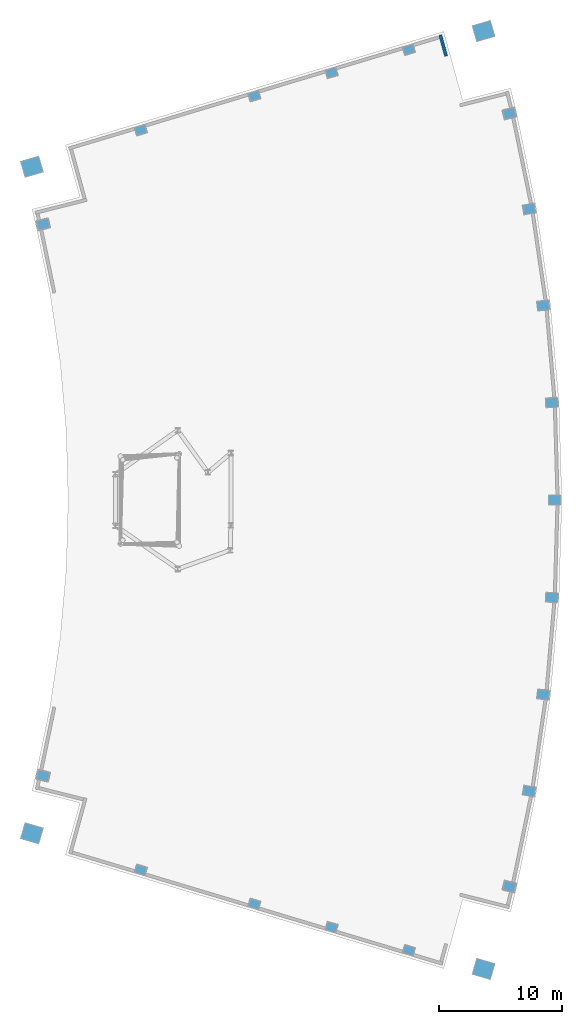
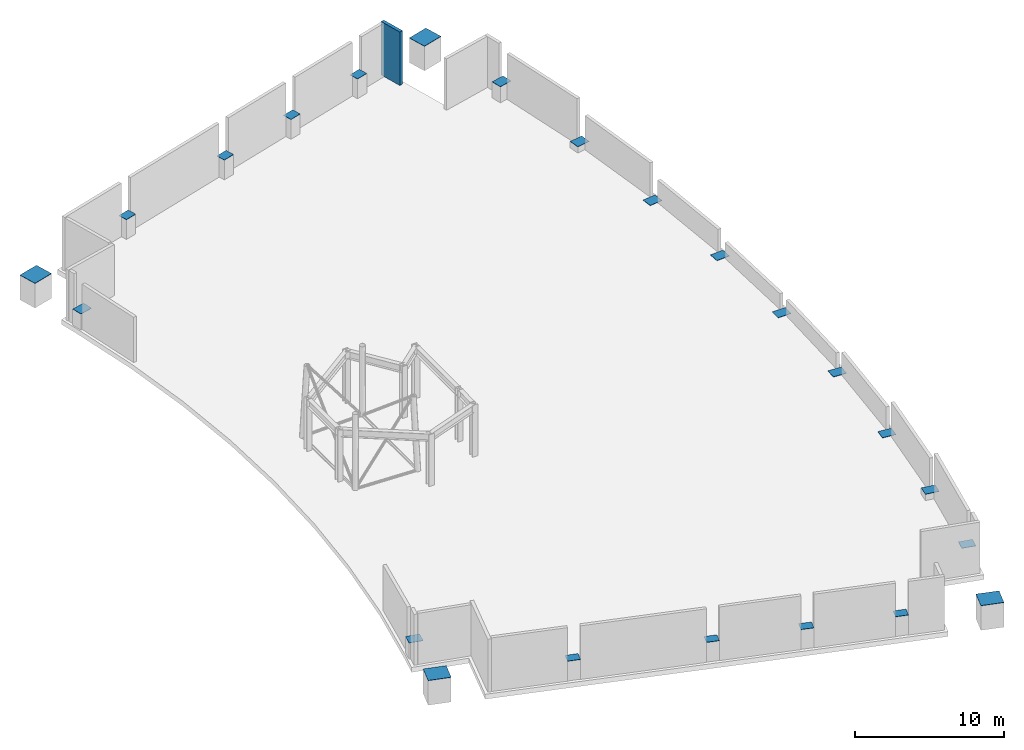
# One storey, part 3 of 4: 23 discrete accessories, 1 wall.
"""IFC4 building model written with IfcOpenShell, lengths in metres."""

import ifcopenshell
import ifcopenshell.guid

model = None  # the IFC model being written
_history = None  # IfcOwnerHistory: only IFC2X3 demands one
_inside = {}  # id of a spatial element -> (the spatial element, [elements in it])
_under = {}  # id of a project, library or spatial element -> (it, [spatial elements below it])
_declared = {}  # id of a project -> (the project, [libraries it declares])
_typed = {}  # id of a type object -> (the type object, [elements of that type])
_made_of = {}  # id of a material, layer set ... -> (it, [elements and type objects made of it])


def new_model(schema):
    """Start an empty IFC model of exactly this schema.

    Asked for "IFC4X3", IfcOpenShell would pick the latest addendum, in which some entities
    have other attributes; the version numbers below select the first issue.
    IFC2X3 requires an IfcOwnerHistory on every rooted entity: one is made here for all.
    """
    global model, _history
    if schema == "IFC4X3":
        model = ifcopenshell.file(schema_version=(4, 3, 0, 0))
    else:
        model = ifcopenshell.file(schema=schema)
    _inside.clear()
    _under.clear()
    _declared.clear()
    _typed.clear()
    _made_of.clear()
    _history = None
    if model.schema == "IFC2X3":
        org = make("IfcOrganization", Name="unknown")
        user = make(
            "IfcPersonAndOrganization",
            ThePerson=make("IfcPerson", FamilyName="unknown"),
            TheOrganization=org,
        )
        app = make(
            "IfcApplication",
            ApplicationDeveloper=org,
            Version="unknown",
            ApplicationFullName="unknown",
            ApplicationIdentifier="unknown",
        )
        _history = make(
            "IfcOwnerHistory",
            OwningUser=user,
            OwningApplication=app,
            ChangeAction="ADDED",
            CreationDate=0,
        )
    return model


def make(cls, **values):
    """One entity of the class cls with the attributes given. An attribute that is None is left unset."""
    return model.create_entity(
        cls, **{name: value for name, value in values.items() if value is not None}
    )


def rooted(cls, **values):
    """An entity with a GlobalId (a new one), such as an element, a storey or a relation."""
    return make(cls, GlobalId=ifcopenshell.guid.new(), OwnerHistory=_history, **values)


def si_unit(unit_type, name, prefix=None):
    """IfcSIUnit, for example si_unit("LENGTHUNIT", "METRE", prefix="MILLI")."""
    return make("IfcSIUnit", UnitType=unit_type, Prefix=prefix, Name=name)


def assignment(units):
    """IfcUnitAssignment: the units of a project."""
    return None if units is None else make("IfcUnitAssignment", Units=units)


def point(xyz):
    """IfcCartesianPoint."""
    return None if xyz is None else make("IfcCartesianPoint", Coordinates=xyz)


def direction(xyz):
    """IfcDirection."""
    return None if xyz is None else make("IfcDirection", DirectionRatios=xyz)


def frame(location, z_axis=None, x_axis=None):
    """IfcAxis2Placement3D, a coordinate frame: its origin and axes. An axis left out is left unset."""
    return make(
        "IfcAxis2Placement3D",
        Location=point(location),
        Axis=direction(z_axis),
        RefDirection=direction(x_axis),
    )


def frame_2d(location, x_axis=None):
    """IfcAxis2Placement2D, a coordinate frame in the plane: its origin and x axis."""
    return make(
        "IfcAxis2Placement2D", Location=point(location), RefDirection=direction(x_axis)
    )


def origin():
    """The frame at (0, 0, 0) with its axes left unset."""
    return frame((0.0, 0.0, 0.0))


def origin_2d():
    """The frame at (0, 0) in the plane with its x axis left unset."""
    return frame_2d((0.0, 0.0))


def place(relative_to, where):
    """IfcLocalPlacement: puts the frame where relative to a parent placement (None: the world)."""
    return make(
        "IfcLocalPlacement", PlacementRelTo=relative_to, RelativePlacement=where
    )


def context(
    kind, dimensions, precision=None, world=None, true_north=None, identifier=None
):
    """IfcGeometricRepresentationContext, for example the 3D "Model" context."""
    return make(
        "IfcGeometricRepresentationContext",
        ContextIdentifier=identifier,
        ContextType=kind,
        CoordinateSpaceDimension=dimensions,
        Precision=precision,
        WorldCoordinateSystem=world,
        TrueNorth=true_north,
    )


def subcontext(parent, identifier, kind, view, scale=None):
    """IfcGeometricRepresentationSubContext, for example "Body" below "Model"."""
    return make(
        "IfcGeometricRepresentationSubContext",
        ContextIdentifier=identifier,
        ContextType=kind,
        ParentContext=parent,
        TargetScale=scale,
        TargetView=view,
    )


def project(units=None, contexts=None):
    """IfcProject with its units and contexts."""
    return rooted(
        "IfcProject",
        Name="project",
        RepresentationContexts=contexts,
        UnitsInContext=assignment(units),
    )


def spatial(cls, under=None, at=None, **own):
    """A site, building, storey or space (cls), placed at a placement, below another one or the project."""
    s = rooted(cls, ObjectPlacement=at, **own)
    if under is not None:
        _under.setdefault(under.id(), (under, []))[1].append(s)
    return s


def profile(cls, at=None, kind="AREA", **sizes):
    """A parametric profile (cls). Its sizes go by their IFC names, for example OverallWidth=200.0."""
    return make(cls, ProfileType=kind, Position=at, **sizes)


def rectangle(**sizes):
    """IfcRectangleProfileDef."""
    return profile("IfcRectangleProfileDef", **sizes)


def extrude(swept, where, along, depth):
    """IfcExtrudedAreaSolid: the profile swept, set in the frame where, extruded along a direction by depth."""
    return make(
        "IfcExtrudedAreaSolid",
        SweptArea=swept,
        Position=where,
        ExtrudedDirection=direction(along),
        Depth=depth,
    )


def shape(context_of_items, identifier, shape_type, items):
    """IfcShapeRepresentation: the items that make up one representation, for example the "Body"."""
    return make(
        "IfcShapeRepresentation",
        ContextOfItems=context_of_items,
        RepresentationIdentifier=identifier,
        RepresentationType=shape_type,
        Items=items,
    )


def material(Name=None, Category=None):
    """IfcMaterial."""
    return make("IfcMaterial", Name=Name, Category=Category)


def layer(
    of_material, thickness, ventilated=None, Name=None, Category=None, Priority=None
):
    """IfcMaterialLayer: one layer of a wall or slab, of a material (None: an air gap)."""
    return make(
        "IfcMaterialLayer",
        Material=of_material,
        LayerThickness=thickness,
        IsVentilated=ventilated,
        Name=Name,
        Category=Category,
        Priority=Priority,
    )


def layer_set(layers, Name=None):
    """IfcMaterialLayerSet."""
    return make("IfcMaterialLayerSet", MaterialLayers=layers, LayerSetName=Name)


def material_profile(
    of_material, cross_section, Name=None, Category=None, Priority=None
):
    """IfcMaterialProfile: a cross section and its material."""
    return make(
        "IfcMaterialProfile",
        Name=Name,
        Material=of_material,
        Profile=cross_section,
        Priority=Priority,
        Category=Category,
    )


def profile_set(profiles, Name=None, composite=None):
    """IfcMaterialProfileSet."""
    return make(
        "IfcMaterialProfileSet",
        Name=Name,
        MaterialProfiles=profiles,
        CompositeProfile=composite,
    )


def made_of(thing, what):
    """Note that an element or type object is made of a material, layer set ...; save() writes the relation."""
    if what is not None:
        _made_of.setdefault(what.id(), (what, []))[1].append(thing)
    return thing


def type_object(cls, material=None, **own):
    """A type object (cls), such as IfcWallType, which elements share."""
    return made_of(rooted(cls, **own), material)


def element(
    cls,
    number,
    at=None,
    inside=None,
    cuts=None,
    type_object=None,
    material=None,
    context=None,
    identifier="Body",
    shape_type=None,
    held_by="IfcProductDefinitionShape",
    body=None,
    shapes=None,
    **own,
):
    """One element of the class cls, such as IfcWall. Its Tag is "e" and its number.

    at: its placement. inside: the storey or other place that contains it. cuts: it is an
    opening in that element (IfcRelVoidsElement). A single representation is given by context,
    identifier, shape_type and body (its items); several are given by shapes. held_by: the class
    of the entity that holds the representations. save() writes the other relations.
    """
    e = rooted(cls, Tag="e%d" % number, ObjectPlacement=at, **own)
    if body is not None:
        shapes = [shape(context, identifier, shape_type, body)]
    if shapes is not None:
        e.Representation = make(held_by, Representations=shapes)
    if inside is not None:
        _inside.setdefault(inside.id(), (inside, []))[1].append(e)
    if cuts is not None:
        rooted(
            "IfcRelVoidsElement", RelatingBuildingElement=cuts, RelatedOpeningElement=e
        )
    if type_object is not None:
        _typed.setdefault(type_object.id(), (type_object, []))[1].append(e)
    return made_of(e, material)


def aggregate(whole, parts):
    """IfcRelAggregates: a whole, such as a stair, and the parts it consists of."""
    return rooted("IfcRelAggregates", RelatingObject=whole, RelatedObjects=parts)


def save(model, path):
    """Write the relations noted so far, then the file.

    IfcRelAggregates (storeys below a building ...), IfcRelContainedInSpatialStructure (elements
    in a storey), IfcRelDefinesByType, IfcRelAssociatesMaterial and IfcRelDeclares: one each for
    every whole, place, type object, material and project.
    """
    for whole, parts in _under.values():
        aggregate(whole, parts)
    for where, things in _inside.values():
        rooted(
            "IfcRelContainedInSpatialStructure",
            RelatedElements=things,
            RelatingStructure=where,
        )
    for kind, things in _typed.values():
        rooted("IfcRelDefinesByType", RelatedObjects=things, RelatingType=kind)
    for what, things in _made_of.values():
        rooted("IfcRelAssociatesMaterial", RelatedObjects=things, RelatingMaterial=what)
    for by, libraries in _declared.values():
        rooted("IfcRelDeclares", RelatingContext=by, RelatedDefinitions=libraries)
    model.write(path)


model = new_model("IFC4")

# Units and contexts
model_context = context("Model", 3, precision=1e-05, world=origin(), true_north=direction((0.0, 1.0)))
body_context = subcontext(model_context, "Body", "Model", "MODEL_VIEW")
ifc_project = project(units=[si_unit("LENGTHUNIT", "METRE"), si_unit("AREAUNIT", "SQUARE_METRE"), si_unit("VOLUMEUNIT", "CUBIC_METRE"), si_unit("PLANEANGLEUNIT", "RADIAN"), si_unit("MASSUNIT", "GRAM", prefix="KILO")], contexts=[model_context])

# Site, building, storey
site_placement = place(None, origin())
site = spatial("IfcSite", under=ifc_project, at=site_placement, CompositionType="ELEMENT")
building_placement = place(site_placement, origin())
building = spatial("IfcBuilding", under=site, at=building_placement, Name="Alderwake Tower", CompositionType="ELEMENT")
storey_placement = place(building_placement, frame((0.0, 0.0, 314.60009765625)))
storey = spatial("IfcBuildingStorey", under=building, at=storey_placement, Name="Roof", CompositionType="ELEMENT", Elevation=314.60009765625)

# Wall
ifc_material_1 = material(Name="Precast concrete C50/60 spandrel panel", Category="concrete")
ifc_layer = layer(ifc_material_1, 0.25)
ifc_layer_set = layer_set([ifc_layer], Name="Roof parapet PA1 Precast concrete C50/60")
wall_type = type_object("IfcWallType", Name="Roof parapet PA1 Precast concrete C50/60", PredefinedType="PARAPET", material=ifc_layer_set)
wall_placement = place(storey_placement, frame((46.615478515625, 96.96142578125, 0.39990234375), z_axis=(0.0, 0.0, 1.0), x_axis=(-0.265011891163, 0.964245143904, 0.0)))
element("IfcWall", 1, at=wall_placement, inside=storey, type_object=wall_type, Name="External wall 44", PredefinedType="PARAPET", context=body_context, shape_type="SweptSolid", body=[
    extrude(rectangle(XDim=1.76611328125, YDim=0.25, at=frame_2d((0.883056640625, 0.0))), origin(), (0.0, 0.0, 1.0), 4.393798828125),
])

# Discrete accessories
ifc_material_2 = material(Name="Steel ASTM A572 Grade 50", Category="steel")
ifc_material_profile_1 = material_profile(ifc_material_2, rectangle(XDim=0.800048828125, YDim=1.0, at=origin_2d()), Name="BOX 1000X800X55 cap")
ifc_profile_set_1 = profile_set([ifc_material_profile_1], Name="Steel ASTM A572 Grade 50")
discrete_accessory_type_1 = type_object("IfcDiscreteAccessoryType", Name="End cap plate BOX 1000X800X55", PredefinedType="USERDEFINED", material=ifc_profile_set_1)
for number, where, z_axis, x_axis, name in (
    (2, (13.982177734375, 38.6640625, 1.6943359375), (0.0, 0.0, 1.0), (0.231221547198, 0.972901123502, 0.0), "End cap R03-C0 N"),
    (3, (51.730712890625, 29.692626953125, 1.6943359375), (0.0, 0.0, 1.0), (0.231221547198, 0.972901123502, 0.0), "End cap R03-C5 N"),
    (4, (53.33203125, 37.42578125, 0.894287109375), (0.0, 0.0, 1.0), (0.174107082075, 0.984726725529, 0.0), "End cap R04-C5 N"),
    (5, (54.4794921875, 45.239013671875, 0.39990234375), (0.0, 0.0, 1.0), (0.116402054316, 0.993202175668, 0.0), "End cap R05-C5 N"),
    (6, (55.169677734375, 53.106201171875, 0.39990234375), (0.0, 0.0, 1.0), (0.058301061284, 0.998299046505, 0.0), "End cap R06-C5 N"),
    (7, (55.39990234375, 61.0, 0.39990234375), (0.0, 0.0, 1.0), (0.0, 1.0, 0.0), "End cap R07-C5 N"),
    (8, (55.169677734375, 68.893798828125, 0.39990234375), (0.0, 0.0, 1.0), (-0.058301061284, 0.998299046505, 0.0), "End cap R08-C5 N"),
    (9, (54.4794921875, 76.760986328125, 0.39990234375), (0.0, 0.0, 1.0), (-0.116402054316, 0.993202175668, 0.0), "End cap R09-C5 N"),
    (10, (53.33203125, 84.57421875, 0.894287109375), (0.0, 0.0, 1.0), (-0.174107082075, 0.984726725529, 0.0), "End cap R10-C5 N"),
    (11, (13.982177734375, 83.3359375, 1.6943359375), (0.0, 0.0, 1.0), (-0.231221547198, 0.972901123502, 0.0), "End cap R11-C0 N"),
    (12, (51.730712890625, 92.307373046875, 1.6943359375), (0.0, 0.0, 1.0), (-0.231221547198, 0.972901123502, 0.0), "End cap R11-C5 N"),
):
    element("IfcDiscreteAccessory", number, at=place(storey_placement, frame(where, z_axis=z_axis, x_axis=x_axis)), inside=storey, type_object=discrete_accessory_type_1, Name=name, ObjectType="END CAP", PredefinedType="USERDEFINED", context=body_context, shape_type="SweptSolid", body=[
        extrude(rectangle(XDim=0.800048828125, YDim=1.0, at=origin_2d()), origin(), (0.0, 0.0, 1.0), 0.030029296875),
    ])
ifc_material_3 = material(Name="Steel ASTM A572 Grade 50", Category="steel")
ifc_material_profile_2 = material_profile(ifc_material_3, rectangle(XDim=1.39990234375, YDim=1.60009765625, at=origin_2d()), Name="BOX 1600X1400X70 cap")
ifc_profile_set_2 = profile_set([ifc_material_profile_2], Name="Steel ASTM A572 Grade 50")
discrete_accessory_type_2 = type_object("IfcDiscreteAccessoryType", Name="End cap plate BOX 1600X1400X70", PredefinedType="USERDEFINED", material=ifc_profile_set_2)
for number, where, z_axis, x_axis, name in (
    (13, (13.06298828125, 34.00244140625, 2.0), (0.0, 0.0, 1.0), (0.278612301868, 0.960403657452, 0.0), "End cap R02-C0 N"),
    (14, (49.6494140625, 23.01318359375, 2.0), (0.0, 0.0, 1.0), (0.281175922972, 0.959656240714, 0.0), "End cap R02-C5 N"),
    (15, (13.06298828125, 87.99755859375, 2.0), (0.0, 0.0, 1.0), (-0.278612301868, 0.960403657452, 0.0), "End cap R12-C0 N"),
    (16, (49.6494140625, 98.98681640625, 2.0), (0.0, 0.0, 1.0), (-0.281175922972, 0.959656240714, 0.0), "End cap R12-C5 N"),
):
    element("IfcDiscreteAccessory", number, at=place(storey_placement, frame(where, z_axis=z_axis, x_axis=x_axis)), inside=storey, type_object=discrete_accessory_type_2, Name=name, ObjectType="END CAP", PredefinedType="USERDEFINED", context=body_context, shape_type="SweptSolid", body=[
        extrude(rectangle(XDim=1.39990234375, YDim=1.60009765625, at=origin_2d()), origin(), (0.0, 0.0, 1.0), 0.02978515625),
    ])
ifc_material_4 = material(Name="Steel ASTM A572 Grade 50", Category="steel")
ifc_material_profile_3 = material_profile(ifc_material_4, rectangle(XDim=0.699951171875, YDim=0.89990234375, at=origin_2d()), Name="BOX 900X700X50 cap")
ifc_profile_set_3 = profile_set([ifc_material_profile_3], Name="Steel ASTM A572 Grade 50")
discrete_accessory_type_3 = type_object("IfcDiscreteAccessoryType", Name="End cap plate BOX 900X700X50", PredefinedType="USERDEFINED", material=ifc_profile_set_3)
for number, where, z_axis, x_axis, name in (
    (17, (21.885498046875, 31.03759765625, 2.0), (0.0, 0.0, 1.0), (0.282132160283, 0.95937554906, 0.0), "End cap R02-C1 N"),
    (18, (31.080322265625, 28.27685546875, 2.0), (0.0, 0.0, 1.0), (0.282582549822, 0.959242984095, 0.0), "End cap R02-C2 N"),
    (19, (37.337890625, 26.398193359375, 2.0), (0.0, 0.0, 1.0), (0.282847061859, 0.959165022088, 0.0), "End cap R02-C3 N"),
    (20, (43.59521484375, 24.51953125, 2.0), (0.0, 0.0, 1.0), (0.283086443451, 0.959094398656, 0.0), "End cap R02-C4 N"),
    (21, (21.885498046875, 90.96240234375, 2.0), (0.0, 0.0, 1.0), (-0.282132160283, 0.95937554906, 0.0), "End cap R12-C1 N"),
    (22, (31.080322265625, 93.72314453125, 2.0), (0.0, 0.0, 1.0), (-0.282582549822, 0.959242984095, 0.0), "End cap R12-C2 N"),
    (23, (37.337890625, 95.601806640625, 2.0), (0.0, 0.0, 1.0), (-0.282847061859, 0.959165022088, 0.0), "End cap R12-C3 N"),
    (24, (43.59521484375, 97.48046875, 2.0), (0.0, 0.0, 1.0), (-0.283086443451, 0.959094398656, 0.0), "End cap R12-C4 N"),
):
    element("IfcDiscreteAccessory", number, at=place(storey_placement, frame(where, z_axis=z_axis, x_axis=x_axis)), inside=storey, type_object=discrete_accessory_type_3, Name=name, ObjectType="END CAP", PredefinedType="USERDEFINED", context=body_context, shape_type="SweptSolid", body=[
        extrude(rectangle(XDim=0.699951171875, YDim=0.89990234375, at=origin_2d()), origin(), (0.0, 0.0, 1.0), 0.02978515625),
    ])

save(model, "model.ifc")
